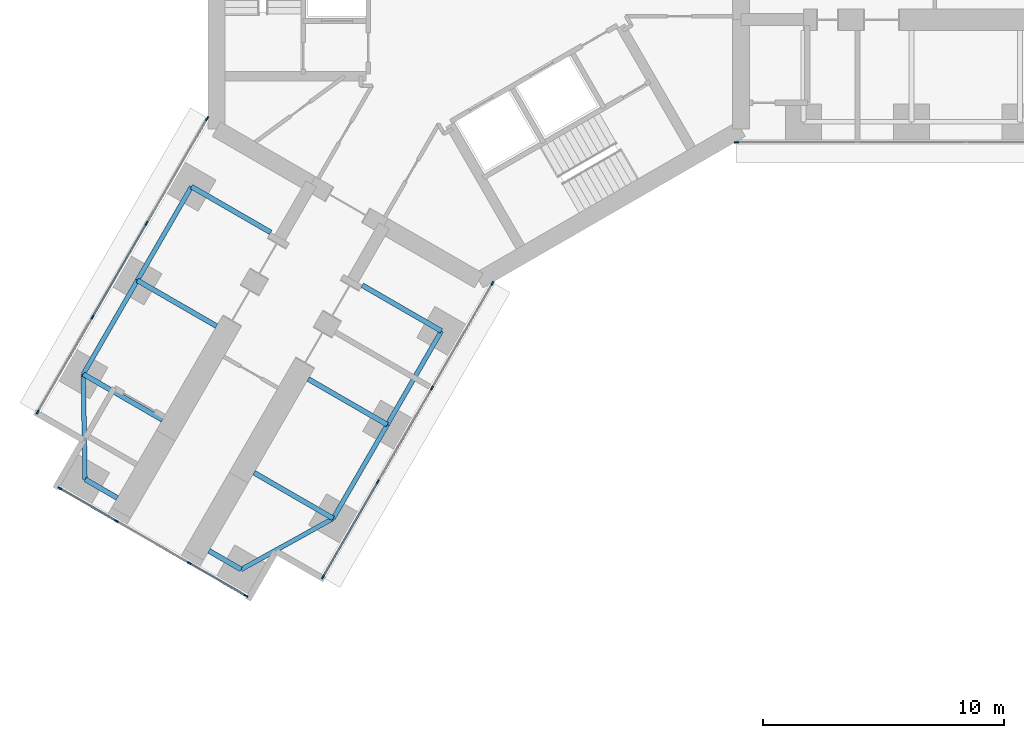
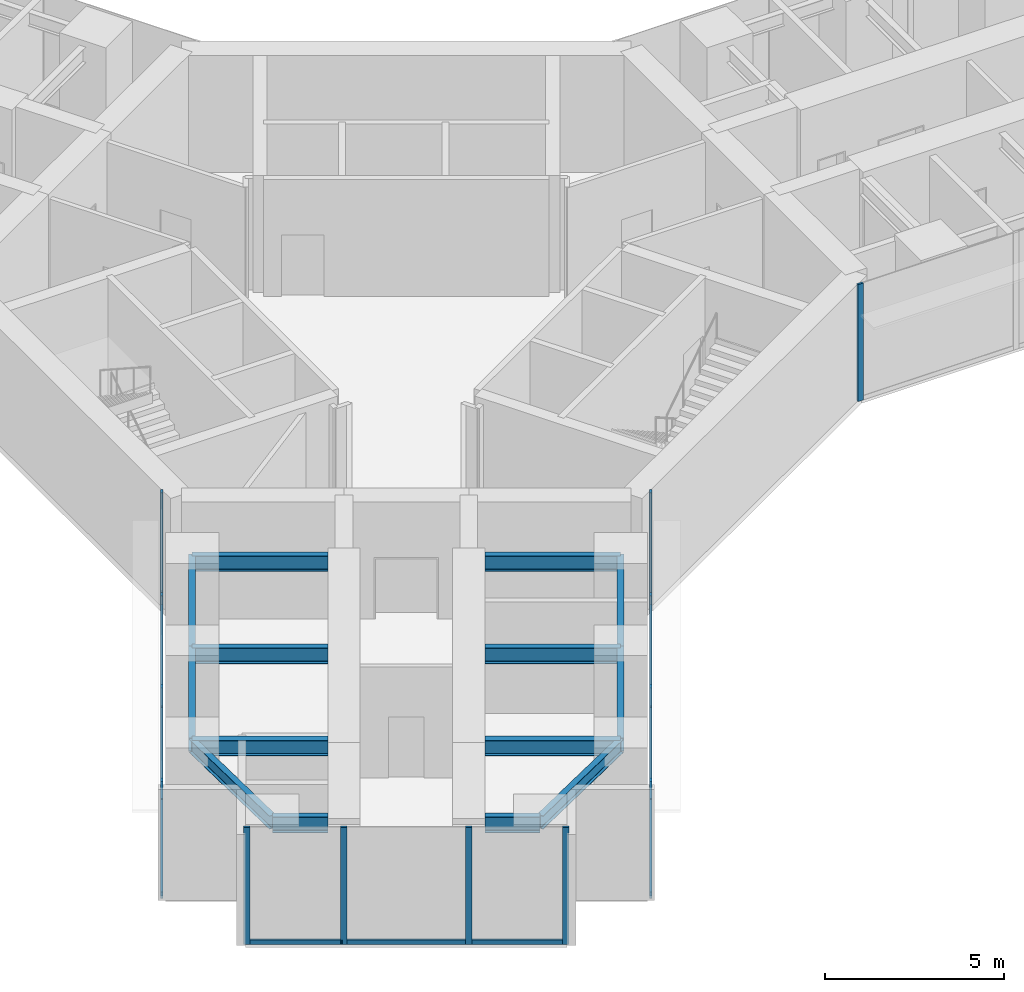
# One storey, part 2 of 23: 22 members, 14 beams, 4 elements without a shape of their own.
"""IFC4 building model written with IfcOpenShell, lengths in metres."""

from ifc_helpers import new_model, si_unit, direction, frame, origin, origin_2d, place, context, subcontext, project, spatial, rectangle, i_section, extrude, material, material_profile, profile_set, type_object, element, aggregate, save


model = new_model("IFC4")

# Units and contexts
model_context = context("Model", 3, precision=1e-05, world=origin(), true_north=direction((0.0, 1.0)))
body_context = subcontext(model_context, "Body", "Model", "MODEL_VIEW")
ifc_project = project(units=[si_unit("LENGTHUNIT", "METRE"), si_unit("AREAUNIT", "SQUARE_METRE"), si_unit("VOLUMEUNIT", "CUBIC_METRE"), si_unit("PLANEANGLEUNIT", "RADIAN"), si_unit("MASSUNIT", "GRAM", prefix="KILO")], contexts=[model_context])

# Site, building, storey
site_placement = place(None, origin())
site = spatial("IfcSite", under=ifc_project, at=site_placement, CompositionType="ELEMENT")
building_placement = place(site_placement, origin())
building = spatial("IfcBuilding", under=site, at=building_placement, Name="Upepo Twin Towers", CompositionType="ELEMENT")
storey_placement = place(building_placement, frame((0.0, 0.0, 28.5)))
storey = spatial("IfcBuildingStorey", under=building, at=storey_placement, Name="L06", CompositionType="ELEMENT", Elevation=28.5)

# Beams
ifc_material_1 = material(Name="Steel S355", Category="steel")
ifc_material_profile_1 = material_profile(ifc_material_1, i_section(OverallWidth=0.1904296875, OverallDepth=0.45703125, WebThickness=0.009033203125, FlangeThickness=0.014404296875, FilletRadius=0.01025390625, at=origin_2d()), Name="UB 457x191x74")
ifc_profile_set_1 = profile_set([ifc_material_profile_1], Name="Steel S355")
beam_type_1 = type_object("IfcBeamType", Name="Beam UB 457x191x74", PredefinedType="BEAM", material=ifc_profile_set_1)
beam_1_placement = place(storey_placement, frame((-1.553955078125, -14.69140625, 3.571533203125), z_axis=(-0.500013631625, -0.866017533419, 0.0), x_axis=(0.866017533419, -0.500013631625, 0.0)))
element("IfcBeam", 1, at=beam_1_placement, inside=storey, type_object=beam_type_1, Name="T1 edge beam CL 13.5-18.0", PredefinedType="BEAM", context=body_context, shape_type="SweptSolid", body=[
    extrude(i_section(OverallWidth=0.1904296875, OverallDepth=0.45703125, WebThickness=0.009033203125, FlangeThickness=0.014404296875, FilletRadius=0.01025390625, at=origin_2d()), origin(), (0.0, 0.0, 1.0), 4.499755859375),
])
beam_2_placement = place(storey_placement, frame((-3.803955078125, -18.58837890625, 3.571533203125), z_axis=(-0.499990139034, -0.866031096941, 0.0), x_axis=(0.866031096941, -0.499990139034, 0.0)))
element("IfcBeam", 2, at=beam_2_placement, inside=storey, type_object=beam_type_1, Name="T1 edge beam CL 18.0-22.5", PredefinedType="BEAM", context=body_context, shape_type="SweptSolid", body=[
    extrude(i_section(OverallWidth=0.1904296875, OverallDepth=0.45703125, WebThickness=0.009033203125, FlangeThickness=0.014404296875, FilletRadius=0.01025390625, at=origin_2d()), origin(), (0.0, 0.0, 1.0), 4.5),
])
beam_3_placement = place(storey_placement, frame((-6.053955078125, -22.485595703125, 3.571533203125), z_axis=(-0.874312600038, -0.485363242752, 0.0), x_axis=(0.485363242752, -0.874312600038, 0.0)))
element("IfcBeam", 3, at=beam_3_placement, inside=storey, type_object=beam_type_1, Name="T1 nose edge beam CL", PredefinedType="BEAM", context=body_context, shape_type="SweptSolid", body=[
    extrude(i_section(OverallWidth=0.1904296875, OverallDepth=0.45703125, WebThickness=0.009033203125, FlangeThickness=0.014404296875, FilletRadius=0.01025390625, at=origin_2d()), origin(), (0.0, 0.0, 1.0), 4.373046875),
])
beam_4_placement = place(storey_placement, frame((-11.946044921875, -8.69140625, 3.571533203125), z_axis=(-0.500013631625, -0.866017533419, 0.0), x_axis=(0.866017533419, -0.500013631625, 0.0)))
element("IfcBeam", 4, at=beam_4_placement, inside=storey, type_object=beam_type_1, Name="T1 edge beam CR 13.5-18.0", PredefinedType="BEAM", context=body_context, shape_type="SweptSolid", body=[
    extrude(i_section(OverallWidth=0.1904296875, OverallDepth=0.45703125, WebThickness=0.009033203125, FlangeThickness=0.014404296875, FilletRadius=0.01025390625, at=origin_2d()), origin(), (0.0, 0.0, 1.0), 4.499755859375),
])
beam_5_placement = place(storey_placement, frame((-14.196044921875, -12.58837890625, 3.571533203125), z_axis=(-0.499990139034, -0.866031096941, 0.0), x_axis=(0.866031096941, -0.499990139034, 0.0)))
element("IfcBeam", 5, at=beam_5_placement, inside=storey, type_object=beam_type_1, Name="T1 edge beam CR 18.0-22.5", PredefinedType="BEAM", context=body_context, shape_type="SweptSolid", body=[
    extrude(i_section(OverallWidth=0.1904296875, OverallDepth=0.45703125, WebThickness=0.009033203125, FlangeThickness=0.014404296875, FilletRadius=0.01025390625, at=origin_2d()), origin(), (0.0, 0.0, 1.0), 4.5),
])
beam_6_placement = place(storey_placement, frame((-16.446044921875, -16.485595703125, 3.571533203125), z_axis=(0.016803880528, -0.999858804832, 0.0), x_axis=(0.999858804832, 0.016803880528, 0.0)))
element("IfcBeam", 6, at=beam_6_placement, inside=storey, type_object=beam_type_1, Name="T1 nose edge beam CR", PredefinedType="BEAM", context=body_context, shape_type="SweptSolid", body=[
    extrude(i_section(OverallWidth=0.1904296875, OverallDepth=0.45703125, WebThickness=0.009033203125, FlangeThickness=0.014404296875, FilletRadius=0.01025390625, at=origin_2d()), origin(), (0.0, 0.0, 1.0), 4.373291015625),
])
ifc_material_2 = material(Name="Steel S355", Category="steel")
ifc_material_profile_2 = material_profile(ifc_material_2, i_section(OverallWidth=0.2099609375, OverallDepth=0.53662109375, WebThickness=0.0107421875, FlangeThickness=0.017333984375, FilletRadius=0.0126953125, at=origin_2d()), Name="UB 533x210x101")
ifc_profile_set_2 = profile_set([ifc_material_profile_2], Name="Steel S355")
beam_type_2 = type_object("IfcBeamType", Name="Beam UB 533x210x101", PredefinedType="BEAM", material=ifc_profile_set_2)
for number, where, z_axis, x_axis, name in (
    (7, (-9.87744140625, -24.608154296875, 3.53173828125), (-0.866043940782, 0.499967891604, 0.0), (-0.499967891604, -0.866043940782, 0.0), "T1 nose beam CL"),
    (8, (-16.37255859375, -20.858154296875, 3.53173828125), (0.866043940782, -0.499967891604, 0.0), (0.499967891604, 0.866043940782, 0.0), "T1 nose beam CR"),
):
    element("IfcBeam", number, at=place(storey_placement, frame(where, z_axis=z_axis, x_axis=x_axis)), inside=storey, type_object=beam_type_2, Name=name, PredefinedType="BEAM", context=body_context, shape_type="SweptSolid", body=[
        extrude(i_section(OverallWidth=0.2099609375, OverallDepth=0.53662109375, WebThickness=0.0107421875, FlangeThickness=0.017333984375, FilletRadius=0.0126953125, at=origin_2d()), origin(), (0.0, 0.0, 1.0), 1.5498046875),
    ])
ifc_material_3 = material(Name="Steel S355", Category="steel")
ifc_material_profile_3 = material_profile(ifc_material_3, i_section(OverallWidth=0.209228515625, OverallDepth=0.533203125, WebThickness=0.010009765625, FlangeThickness=0.015625, FilletRadius=0.0126953125, at=origin_2d()), Name="UB 533x210x92")
ifc_profile_set_3 = profile_set([ifc_material_profile_3], Name="Steel S355")
beam_type_3 = type_object("IfcBeamType", Name="Beam UB 533x210x92", PredefinedType="BEAM", material=ifc_profile_set_3)
beam_7_placement = place(storey_placement, frame((-1.553955078125, -14.69140625, 3.533447265625), z_axis=(-0.866000483506, 0.500043160704, 0.0), x_axis=(-0.500043160704, -0.866000483506, 0.0)))
element("IfcBeam", 9, at=beam_7_placement, inside=storey, type_object=beam_type_3, Name="T1 girder CL at 13.5", PredefinedType="BEAM", context=body_context, shape_type="SweptSolid", body=[
    extrude(i_section(OverallWidth=0.209228515625, OverallDepth=0.533203125, WebThickness=0.010009765625, FlangeThickness=0.015625, FilletRadius=0.0126953125, at=origin_2d()), origin(), (0.0, 0.0, 1.0), 3.800048828125),
])
for number, where, z_axis, x_axis, name in (
    (10, (-3.803955078125, -18.58837890625, 3.533447265625), (-0.866028304915, 0.499994975061, 0.0), (-0.499994975061, -0.866028304915, 0.0), "T1 girder CL at 18.0"),
    (11, (-6.053955078125, -22.485595703125, 3.533447265625), (-0.866028304915, 0.499994975061, 0.0), (-0.499994975061, -0.866028304915, 0.0), "T1 girder CL at 22.5"),
    (12, (-11.946044921875, -8.69140625, 3.533447265625), (0.866028304915, -0.499994975061, 0.0), (0.499994975061, 0.866028304915, 0.0), "T1 girder CR at 13.5"),
):
    element("IfcBeam", number, at=place(storey_placement, frame(where, z_axis=z_axis, x_axis=x_axis)), inside=storey, type_object=beam_type_3, Name=name, PredefinedType="BEAM", context=body_context, shape_type="SweptSolid", body=[
        extrude(i_section(OverallWidth=0.209228515625, OverallDepth=0.533203125, WebThickness=0.010009765625, FlangeThickness=0.015625, FilletRadius=0.0126953125, at=origin_2d()), origin(), (0.0, 0.0, 1.0), 3.7998046875),
    ])
beam_8_placement = place(storey_placement, frame((-14.196044921875, -12.58837890625, 3.533447265625), z_axis=(0.866000483506, -0.500043160704, 0.0), x_axis=(0.500043160704, 0.866000483506, 0.0)))
element("IfcBeam", 13, at=beam_8_placement, inside=storey, type_object=beam_type_3, Name="T1 girder CR at 18.0", PredefinedType="BEAM", context=body_context, shape_type="SweptSolid", body=[
    extrude(i_section(OverallWidth=0.209228515625, OverallDepth=0.533203125, WebThickness=0.010009765625, FlangeThickness=0.015625, FilletRadius=0.0126953125, at=origin_2d()), origin(), (0.0, 0.0, 1.0), 3.800048828125),
])
beam_9_placement = place(storey_placement, frame((-16.446044921875, -16.485595703125, 3.533447265625), z_axis=(0.866028304915, -0.499994975061, 0.0), x_axis=(0.499994975061, 0.866028304915, 0.0)))
element("IfcBeam", 14, at=beam_9_placement, inside=storey, type_object=beam_type_3, Name="T1 girder CR at 22.5", PredefinedType="BEAM", context=body_context, shape_type="SweptSolid", body=[
    extrude(i_section(OverallWidth=0.209228515625, OverallDepth=0.533203125, WebThickness=0.010009765625, FlangeThickness=0.015625, FilletRadius=0.0126953125, at=origin_2d()), origin(), (0.0, 0.0, 1.0), 3.7998046875),
])

# Curtain wall, member
ifc_material_4 = material(Name="Aluminium and fritted glass", Category="aluminium")
curtain_wall_type = type_object("IfcCurtainWallType", Name="Tower curtain wall TW1, fritted glass", PredefinedType="NOTDEFINED", material=ifc_material_4)
curtain_wall_1_placement = place(storey_placement, origin())
curtain_wall_1 = element("IfcCurtainWall", 15, at=curtain_wall_1_placement, inside=storey, type_object=curtain_wall_type, Name="T1 L06 wing A flank R curtain wall", PredefinedType="NOTDEFINED")
ifc_material_5 = material(Name="Aluminium mullion", Category="aluminium")
ifc_material_profile_4 = material_profile(ifc_material_5, rectangle(XDim=0.06494140625, YDim=0.179931640625, at=origin_2d()), Name="MULLION 65x180")
ifc_profile_set_4 = profile_set([ifc_material_profile_4], Name="Aluminium mullion")
member_type_1 = type_object("IfcMemberType", Name="Mullion 65x180 TW1", PredefinedType="MULLION", material=ifc_profile_set_4)
member_1_placement = place(storey_placement, frame((10.7197265625, -6.85009765625, 0.0), z_axis=(0.0, 0.0, 1.0), x_axis=(0.0, -1.0, 0.0)))
member_1 = element("IfcMember", 16, at=member_1_placement, type_object=member_type_1, Name="T1 L06 wing A flank R curtain wall mullion 4", PredefinedType="MULLION", context=body_context, shape_type="SweptSolid", body=[
    extrude(rectangle(XDim=0.06494140625, YDim=0.179931640625, at=origin_2d()), origin(), (0.0, 0.0, 1.0), 4.0),
])
aggregate(curtain_wall_1, [member_1])

# Curtain wall, members
curtain_wall_2_placement = place(storey_placement, origin())
curtain_wall_2 = element("IfcCurtainWall", 17, at=curtain_wall_2_placement, inside=storey, type_object=curtain_wall_type, Name="T1 L06 wing C flank L curtain wall", PredefinedType="NOTDEFINED")
member_2_placement = place(storey_placement, frame((0.572509765625, -12.70849609375, 0.0), z_axis=(0.0, 0.0, 1.0), x_axis=(0.866025389682, -0.500000024426, 0.0)))
member_2 = element("IfcMember", 18, at=member_2_placement, type_object=member_type_1, Name="T1 L06 wing C flank L curtain wall mullion 1", PredefinedType="MULLION", context=body_context, shape_type="SweptSolid", body=[
    extrude(rectangle(XDim=0.06494140625, YDim=0.179931640625, at=origin_2d()), origin(), (0.0, 0.0, 1.0), 4.0),
])
member_3_placement = place(storey_placement, frame((-1.942626953125, -17.06494140625, 0.0), z_axis=(0.0, 0.0, 1.0), x_axis=(0.866025389682, -0.500000024426, 0.0)))
member_3 = element("IfcMember", 19, at=member_3_placement, type_object=member_type_1, Name="T1 L06 wing C flank L curtain wall mullion 2", PredefinedType="MULLION", context=body_context, shape_type="SweptSolid", body=[
    extrude(rectangle(XDim=0.06494140625, YDim=0.179931640625, at=origin_2d()), origin(), (0.0, 0.0, 1.0), 4.0),
])
member_4_placement = place(storey_placement, frame((-4.192626953125, -20.9619140625, 0.0), z_axis=(0.0, 0.0, 1.0), x_axis=(0.866025389682, -0.500000024426, 0.0)))
member_4 = element("IfcMember", 20, at=member_4_placement, type_object=member_type_1, Name="T1 L06 wing C flank L curtain wall mullion 3", PredefinedType="MULLION", context=body_context, shape_type="SweptSolid", body=[
    extrude(rectangle(XDim=0.06494140625, YDim=0.179931640625, at=origin_2d()), origin(), (0.0, 0.0, 1.0), 4.0),
])
member_5_placement = place(storey_placement, frame((-6.4765625, -24.91748046875, 0.0), z_axis=(0.0, 0.0, 1.0), x_axis=(0.866025389682, -0.500000024426, 0.0)))
member_5 = element("IfcMember", 21, at=member_5_placement, type_object=member_type_1, Name="T1 L06 wing C flank L curtain wall mullion 4", PredefinedType="MULLION", context=body_context, shape_type="SweptSolid", body=[
    extrude(rectangle(XDim=0.06494140625, YDim=0.179931640625, at=origin_2d()), origin(), (0.0, 0.0, 1.0), 4.0),
])

curtain_wall_3_placement = place(storey_placement, origin())
curtain_wall_3 = element("IfcCurtainWall", 22, at=curtain_wall_3_placement, inside=storey, type_object=curtain_wall_type, Name="T1 L06 wing C flank R curtain wall", PredefinedType="NOTDEFINED")
member_6_placement = place(storey_placement, frame((-18.341064453125, -18.067626953125, 0.0), z_axis=(0.0, 0.0, 1.0), x_axis=(-0.866025389682, 0.500000024426, 0.0)))
member_6 = element("IfcMember", 23, at=member_6_placement, type_object=member_type_1, Name="T1 L06 wing C flank R curtain wall mullion 1", PredefinedType="MULLION", context=body_context, shape_type="SweptSolid", body=[
    extrude(rectangle(XDim=0.06494140625, YDim=0.179931640625, at=origin_2d()), origin(), (0.0, 0.0, 1.0), 4.0),
])
member_7_placement = place(storey_placement, frame((-16.057373046875, -14.112060546875, 0.0), z_axis=(0.0, 0.0, 1.0), x_axis=(-0.866025389682, 0.500000024426, 0.0)))
member_7 = element("IfcMember", 24, at=member_7_placement, type_object=member_type_1, Name="T1 L06 wing C flank R curtain wall mullion 2", PredefinedType="MULLION", context=body_context, shape_type="SweptSolid", body=[
    extrude(rectangle(XDim=0.06494140625, YDim=0.179931640625, at=origin_2d()), origin(), (0.0, 0.0, 1.0), 4.0),
])
member_8_placement = place(storey_placement, frame((-13.807373046875, -10.21484375, 0.0), z_axis=(0.0, 0.0, 1.0), x_axis=(-0.866025389682, 0.500000024426, 0.0)))
member_8 = element("IfcMember", 25, at=member_8_placement, type_object=member_type_1, Name="T1 L06 wing C flank R curtain wall mullion 3", PredefinedType="MULLION", context=body_context, shape_type="SweptSolid", body=[
    extrude(rectangle(XDim=0.06494140625, YDim=0.179931640625, at=origin_2d()), origin(), (0.0, 0.0, 1.0), 4.0),
])
member_9_placement = place(storey_placement, frame((-11.2919921875, -5.8583984375, 0.0), z_axis=(0.0, 0.0, 1.0), x_axis=(-0.866025389682, 0.500000024426, 0.0)))
member_9 = element("IfcMember", 26, at=member_9_placement, type_object=member_type_1, Name="T1 L06 wing C flank R curtain wall mullion 4", PredefinedType="MULLION", context=body_context, shape_type="SweptSolid", body=[
    extrude(rectangle(XDim=0.06494140625, YDim=0.179931640625, at=origin_2d()), origin(), (0.0, 0.0, 1.0), 4.0),
])

curtain_wall_4_placement = place(storey_placement, origin())
curtain_wall_4 = element("IfcCurtainWall", 27, at=curtain_wall_4_placement, inside=storey, type_object=curtain_wall_type, Name="T1 L06 wing C nose curtain wall", PredefinedType="NOTDEFINED")
member_10_placement = place(storey_placement, frame((-17.4189453125, -21.235595703125, 0.0), z_axis=(0.0, 0.0, 1.0), x_axis=(0.500000030502, 0.866025386174, 0.0)))
member_10 = element("IfcMember", 28, at=member_10_placement, type_object=member_type_1, Name="T1 L06 wing C nose curtain wall mullion 1", PredefinedType="MULLION", context=body_context, shape_type="SweptSolid", body=[
    extrude(rectangle(XDim=0.06494140625, YDim=0.179931640625, at=origin_2d()), origin(), (0.0, 0.0, 1.0), 4.0),
])
member_11_placement = place(storey_placement, frame((-15.0654296875, -22.59423828125, 0.0), z_axis=(0.0, 0.0, 1.0), x_axis=(0.500000030502, 0.866025386174, 0.0)))
member_11 = element("IfcMember", 29, at=member_11_placement, type_object=member_type_1, Name="T1 L06 wing C nose curtain wall mullion 2", PredefinedType="MULLION", context=body_context, shape_type="SweptSolid", body=[
    extrude(rectangle(XDim=0.06494140625, YDim=0.179931640625, at=origin_2d()), origin(), (0.0, 0.0, 1.0), 4.0),
])
member_12_placement = place(storey_placement, frame((-12.034423828125, -24.34423828125, 0.0), z_axis=(0.0, 0.0, 1.0), x_axis=(0.500000030502, 0.866025386174, 0.0)))
member_12 = element("IfcMember", 30, at=member_12_placement, type_object=member_type_1, Name="T1 L06 wing C nose curtain wall mullion 3", PredefinedType="MULLION", context=body_context, shape_type="SweptSolid", body=[
    extrude(rectangle(XDim=0.06494140625, YDim=0.179931640625, at=origin_2d()), origin(), (0.0, 0.0, 1.0), 4.0),
])
member_13_placement = place(storey_placement, frame((-9.68115234375, -25.703125, 0.0), z_axis=(0.0, 0.0, 1.0), x_axis=(0.500000030502, 0.866025386174, 0.0)))
member_13 = element("IfcMember", 31, at=member_13_placement, type_object=member_type_1, Name="T1 L06 wing C nose curtain wall mullion 4", PredefinedType="MULLION", context=body_context, shape_type="SweptSolid", body=[
    extrude(rectangle(XDim=0.06494140625, YDim=0.179931640625, at=origin_2d()), origin(), (0.0, 0.0, 1.0), 4.0),
])

# Member
ifc_material_6 = material(Name="Aluminium transom", Category="aluminium")
ifc_material_profile_5 = material_profile(ifc_material_6, rectangle(XDim=0.06494140625, YDim=0.14990234375, at=origin_2d()), Name="TRANSOM 65x150")
ifc_profile_set_5 = profile_set([ifc_material_profile_5], Name="Aluminium transom")
member_type_2 = type_object("IfcMemberType", Name="Transom 65x150 TW1", PredefinedType="USERDEFINED", material=ifc_profile_set_5)
member_14_placement = place(storey_placement, frame((0.55615234375, -12.736572265625, 0.074951171875), z_axis=(-0.499983492876, -0.866034933967, 0.0), x_axis=(0.866034933967, -0.499983492876, 0.0)))
member_14 = element("IfcMember", 32, at=member_14_placement, type_object=member_type_2, Name="T1 L06 wing C flank L curtain wall transom 1", ObjectType="TRANSOM", PredefinedType="USERDEFINED", context=body_context, shape_type="SweptSolid", body=[
    extrude(rectangle(XDim=0.06494140625, YDim=0.14990234375, at=origin_2d()), origin(), (0.0, 0.0, 1.0), 4.965576171875),
])

member_15_placement = place(storey_placement, frame((-1.958984375, -17.093017578125, 0.074951171875), z_axis=(-0.500005184116, -0.866022410713, 0.0), x_axis=(0.866022410713, -0.500005184116, 0.0)))
member_15 = element("IfcMember", 33, at=member_15_placement, type_object=member_type_2, Name="T1 L06 wing C flank L curtain wall transom 2", ObjectType="TRANSOM", PredefinedType="USERDEFINED", context=body_context, shape_type="SweptSolid", body=[
    extrude(rectangle(XDim=0.06494140625, YDim=0.14990234375, at=origin_2d()), origin(), (0.0, 0.0, 1.0), 4.43505859375),
])

member_16_placement = place(storey_placement, frame((-4.208984375, -20.990234375, 0.074951171875), z_axis=(-0.500005646842, -0.866022143554, 0.0), x_axis=(0.866022143554, -0.500005646842, 0.0)))
member_16 = element("IfcMember", 34, at=member_16_placement, type_object=member_type_2, Name="T1 L06 wing C flank L curtain wall transom 3", ObjectType="TRANSOM", PredefinedType="USERDEFINED", context=body_context, shape_type="SweptSolid", body=[
    extrude(rectangle(XDim=0.06494140625, YDim=0.14990234375, at=origin_2d()), origin(), (0.0, 0.0, 1.0), 4.50244140625),
])

aggregate(curtain_wall_2, [member_2, member_3, member_4, member_5, member_14, member_15, member_16])

member_17_placement = place(storey_placement, frame((-18.32470703125, -18.03955078125, 0.074951171875), z_axis=(0.499982167615, 0.866035699072, 0.0), x_axis=(-0.866035699072, 0.499982167615, 0.0)))
member_17 = element("IfcMember", 35, at=member_17_placement, type_object=member_type_2, Name="T1 L06 wing C flank R curtain wall transom 1", ObjectType="TRANSOM", PredefinedType="USERDEFINED", context=body_context, shape_type="SweptSolid", body=[
    extrude(rectangle(XDim=0.06494140625, YDim=0.14990234375, at=origin_2d()), origin(), (0.0, 0.0, 1.0), 4.502685546875),
])

member_18_placement = place(storey_placement, frame((-16.041015625, -14.083984375, 0.074951171875), z_axis=(0.500005184116, 0.866022410713, 0.0), x_axis=(-0.866022410713, 0.500005184116, 0.0)))
member_18 = element("IfcMember", 36, at=member_18_placement, type_object=member_type_2, Name="T1 L06 wing C flank R curtain wall transom 2", ObjectType="TRANSOM", PredefinedType="USERDEFINED", context=body_context, shape_type="SweptSolid", body=[
    extrude(rectangle(XDim=0.06494140625, YDim=0.14990234375, at=origin_2d()), origin(), (0.0, 0.0, 1.0), 4.43505859375),
])

member_19_placement = place(storey_placement, frame((-13.791015625, -10.186767578125, 0.074951171875), z_axis=(0.50000478328, 0.866022642139, 0.0), x_axis=(-0.866022642139, 0.50000478328, 0.0)))
member_19 = element("IfcMember", 37, at=member_19_placement, type_object=member_type_2, Name="T1 L06 wing C flank R curtain wall transom 3", ObjectType="TRANSOM", PredefinedType="USERDEFINED", context=body_context, shape_type="SweptSolid", body=[
    extrude(rectangle(XDim=0.06494140625, YDim=0.14990234375, at=origin_2d()), origin(), (0.0, 0.0, 1.0), 4.96533203125),
])

aggregate(curtain_wall_3, [member_6, member_7, member_8, member_9, member_17, member_18, member_19])

member_20_placement = place(storey_placement, frame((-17.390869140625, -21.251708984375, 0.074951171875), z_axis=(0.865997053448, -0.500049101008, 0.0), x_axis=(0.500049101008, 0.865997053448, 0.0)))
member_20 = element("IfcMember", 38, at=member_20_placement, type_object=member_type_2, Name="T1 L06 wing C nose curtain wall transom 1", ObjectType="TRANSOM", PredefinedType="USERDEFINED", context=body_context, shape_type="SweptSolid", body=[
    extrude(rectangle(XDim=0.06494140625, YDim=0.14990234375, at=origin_2d()), origin(), (0.0, 0.0, 1.0), 2.652587890625),
])

member_21_placement = place(storey_placement, frame((-15.037353515625, -22.610595703125, 0.074951171875), z_axis=(0.866025804792, -0.499999305434, 0.0), x_axis=(0.499999305434, 0.866025804792, 0.0)))
member_21 = element("IfcMember", 39, at=member_21_placement, type_object=member_type_2, Name="T1 L06 wing C nose curtain wall transom 2", ObjectType="TRANSOM", PredefinedType="USERDEFINED", context=body_context, shape_type="SweptSolid", body=[
    extrude(rectangle(XDim=0.06494140625, YDim=0.14990234375, at=origin_2d()), origin(), (0.0, 0.0, 1.0), 3.43505859375),
])

member_22_placement = place(storey_placement, frame((-12.00634765625, -24.360595703125, 0.074951171875), z_axis=(0.866036909293, -0.499980071345, 0.0), x_axis=(0.499980071345, 0.866036909293, 0.0)))
member_22 = element("IfcMember", 40, at=member_22_placement, type_object=member_type_2, Name="T1 L06 wing C nose curtain wall transom 3", ObjectType="TRANSOM", PredefinedType="USERDEFINED", context=body_context, shape_type="SweptSolid", body=[
    extrude(rectangle(XDim=0.06494140625, YDim=0.14990234375, at=origin_2d()), origin(), (0.0, 0.0, 1.0), 2.65234375),
])

aggregate(curtain_wall_4, [member_10, member_11, member_12, member_13, member_20, member_21, member_22])

save(model, "model.ifc")
